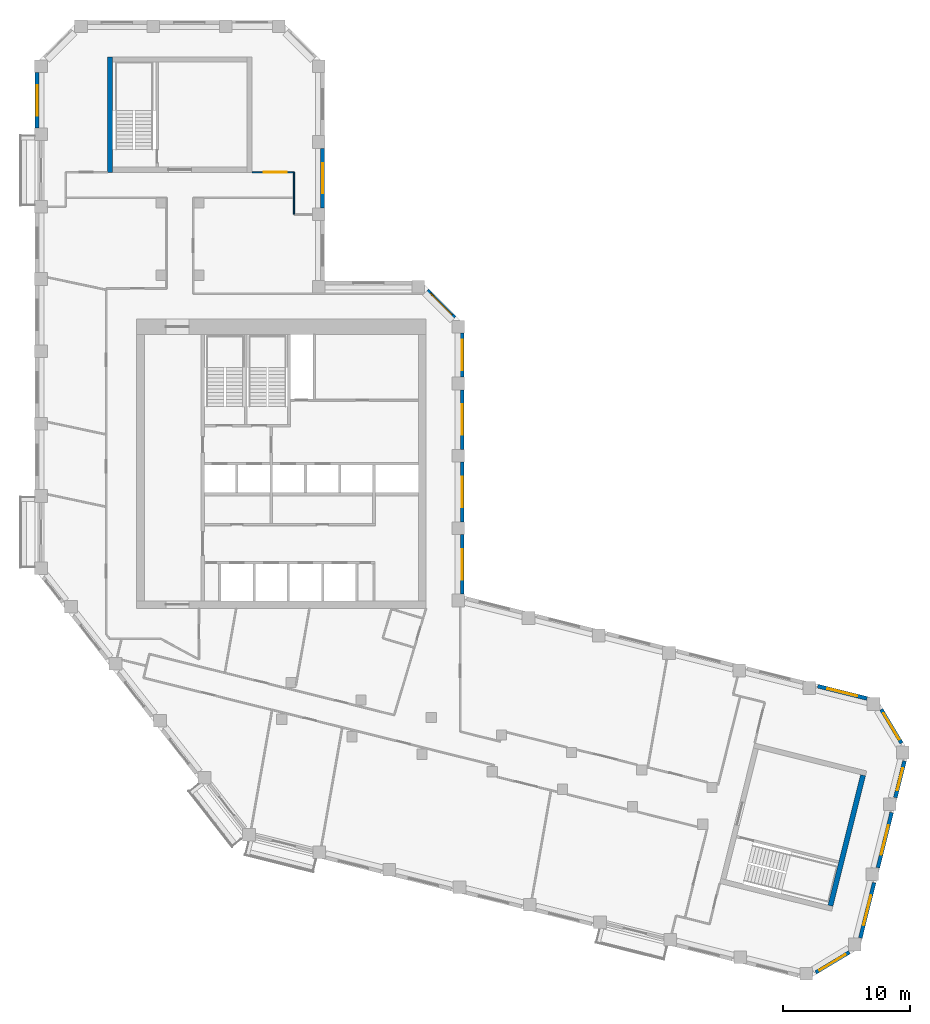
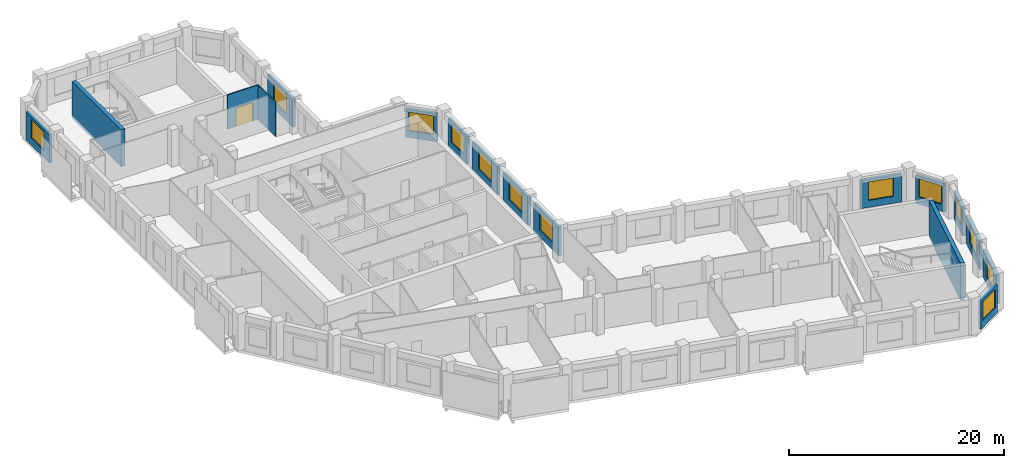
# One storey, part 7 of 9: 18 walls, 13 windows, 1 door, 14 openings.
"""IFC4 building model written with IfcOpenShell, lengths in metres."""

import ifcopenshell
import ifcopenshell.guid

model = None  # the IFC model being written
_history = None  # IfcOwnerHistory: only IFC2X3 demands one
_inside = {}  # id of a spatial element -> (the spatial element, [elements in it])
_under = {}  # id of a project, library or spatial element -> (it, [spatial elements below it])
_declared = {}  # id of a project -> (the project, [libraries it declares])
_typed = {}  # id of a type object -> (the type object, [elements of that type])
_made_of = {}  # id of a material, layer set ... -> (it, [elements and type objects made of it])


def new_model(schema):
    """Start an empty IFC model of exactly this schema.

    Asked for "IFC4X3", IfcOpenShell would pick the latest addendum, in which some entities
    have other attributes; the version numbers below select the first issue.
    IFC2X3 requires an IfcOwnerHistory on every rooted entity: one is made here for all.
    """
    global model, _history
    if schema == "IFC4X3":
        model = ifcopenshell.file(schema_version=(4, 3, 0, 0))
    else:
        model = ifcopenshell.file(schema=schema)
    _inside.clear()
    _under.clear()
    _declared.clear()
    _typed.clear()
    _made_of.clear()
    _history = None
    if model.schema == "IFC2X3":
        org = make("IfcOrganization", Name="unknown")
        user = make(
            "IfcPersonAndOrganization",
            ThePerson=make("IfcPerson", FamilyName="unknown"),
            TheOrganization=org,
        )
        app = make(
            "IfcApplication",
            ApplicationDeveloper=org,
            Version="unknown",
            ApplicationFullName="unknown",
            ApplicationIdentifier="unknown",
        )
        _history = make(
            "IfcOwnerHistory",
            OwningUser=user,
            OwningApplication=app,
            ChangeAction="ADDED",
            CreationDate=0,
        )
    return model


def make(cls, **values):
    """One entity of the class cls with the attributes given. An attribute that is None is left unset."""
    return model.create_entity(
        cls, **{name: value for name, value in values.items() if value is not None}
    )


def rooted(cls, **values):
    """An entity with a GlobalId (a new one), such as an element, a storey or a relation."""
    return make(cls, GlobalId=ifcopenshell.guid.new(), OwnerHistory=_history, **values)


def si_unit(unit_type, name, prefix=None):
    """IfcSIUnit, for example si_unit("LENGTHUNIT", "METRE", prefix="MILLI")."""
    return make("IfcSIUnit", UnitType=unit_type, Prefix=prefix, Name=name)


def assignment(units):
    """IfcUnitAssignment: the units of a project."""
    return None if units is None else make("IfcUnitAssignment", Units=units)


def point(xyz):
    """IfcCartesianPoint."""
    return None if xyz is None else make("IfcCartesianPoint", Coordinates=xyz)


def direction(xyz):
    """IfcDirection."""
    return None if xyz is None else make("IfcDirection", DirectionRatios=xyz)


def frame(location, z_axis=None, x_axis=None):
    """IfcAxis2Placement3D, a coordinate frame: its origin and axes. An axis left out is left unset."""
    return make(
        "IfcAxis2Placement3D",
        Location=point(location),
        Axis=direction(z_axis),
        RefDirection=direction(x_axis),
    )


def frame_2d(location, x_axis=None):
    """IfcAxis2Placement2D, a coordinate frame in the plane: its origin and x axis."""
    return make(
        "IfcAxis2Placement2D", Location=point(location), RefDirection=direction(x_axis)
    )


def origin():
    """The frame at (0, 0, 0) with its axes left unset."""
    return frame((0.0, 0.0, 0.0))


def place(relative_to, where):
    """IfcLocalPlacement: puts the frame where relative to a parent placement (None: the world)."""
    return make(
        "IfcLocalPlacement", PlacementRelTo=relative_to, RelativePlacement=where
    )


def context(
    kind, dimensions, precision=None, world=None, true_north=None, identifier=None
):
    """IfcGeometricRepresentationContext, for example the 3D "Model" context."""
    return make(
        "IfcGeometricRepresentationContext",
        ContextIdentifier=identifier,
        ContextType=kind,
        CoordinateSpaceDimension=dimensions,
        Precision=precision,
        WorldCoordinateSystem=world,
        TrueNorth=true_north,
    )


def subcontext(parent, identifier, kind, view, scale=None):
    """IfcGeometricRepresentationSubContext, for example "Body" below "Model"."""
    return make(
        "IfcGeometricRepresentationSubContext",
        ContextIdentifier=identifier,
        ContextType=kind,
        ParentContext=parent,
        TargetScale=scale,
        TargetView=view,
    )


def project(units=None, contexts=None):
    """IfcProject with its units and contexts."""
    return rooted(
        "IfcProject",
        Name="project",
        RepresentationContexts=contexts,
        UnitsInContext=assignment(units),
    )


def spatial(cls, under=None, at=None, **own):
    """A site, building, storey or space (cls), placed at a placement, below another one or the project."""
    s = rooted(cls, ObjectPlacement=at, **own)
    if under is not None:
        _under.setdefault(under.id(), (under, []))[1].append(s)
    return s


def profile(cls, at=None, kind="AREA", **sizes):
    """A parametric profile (cls). Its sizes go by their IFC names, for example OverallWidth=200.0."""
    return make(cls, ProfileType=kind, Position=at, **sizes)


def rectangle(**sizes):
    """IfcRectangleProfileDef."""
    return profile("IfcRectangleProfileDef", **sizes)


def extrude(swept, where, along, depth):
    """IfcExtrudedAreaSolid: the profile swept, set in the frame where, extruded along a direction by depth."""
    return make(
        "IfcExtrudedAreaSolid",
        SweptArea=swept,
        Position=where,
        ExtrudedDirection=direction(along),
        Depth=depth,
    )


def shape(context_of_items, identifier, shape_type, items):
    """IfcShapeRepresentation: the items that make up one representation, for example the "Body"."""
    return make(
        "IfcShapeRepresentation",
        ContextOfItems=context_of_items,
        RepresentationIdentifier=identifier,
        RepresentationType=shape_type,
        Items=items,
    )


def material(Name=None, Category=None):
    """IfcMaterial."""
    return make("IfcMaterial", Name=Name, Category=Category)


def layer(
    of_material, thickness, ventilated=None, Name=None, Category=None, Priority=None
):
    """IfcMaterialLayer: one layer of a wall or slab, of a material (None: an air gap)."""
    return make(
        "IfcMaterialLayer",
        Material=of_material,
        LayerThickness=thickness,
        IsVentilated=ventilated,
        Name=Name,
        Category=Category,
        Priority=Priority,
    )


def layer_set(layers, Name=None):
    """IfcMaterialLayerSet."""
    return make("IfcMaterialLayerSet", MaterialLayers=layers, LayerSetName=Name)


def made_of(thing, what):
    """Note that an element or type object is made of a material, layer set ...; save() writes the relation."""
    if what is not None:
        _made_of.setdefault(what.id(), (what, []))[1].append(thing)
    return thing


def type_object(cls, material=None, **own):
    """A type object (cls), such as IfcWallType, which elements share."""
    return made_of(rooted(cls, **own), material)


def element(
    cls,
    number,
    at=None,
    inside=None,
    cuts=None,
    type_object=None,
    material=None,
    context=None,
    identifier="Body",
    shape_type=None,
    held_by="IfcProductDefinitionShape",
    body=None,
    shapes=None,
    **own,
):
    """One element of the class cls, such as IfcWall. Its Tag is "e" and its number.

    at: its placement. inside: the storey or other place that contains it. cuts: it is an
    opening in that element (IfcRelVoidsElement). A single representation is given by context,
    identifier, shape_type and body (its items); several are given by shapes. held_by: the class
    of the entity that holds the representations. save() writes the other relations.
    """
    e = rooted(cls, Tag="e%d" % number, ObjectPlacement=at, **own)
    if body is not None:
        shapes = [shape(context, identifier, shape_type, body)]
    if shapes is not None:
        e.Representation = make(held_by, Representations=shapes)
    if inside is not None:
        _inside.setdefault(inside.id(), (inside, []))[1].append(e)
    if cuts is not None:
        rooted(
            "IfcRelVoidsElement", RelatingBuildingElement=cuts, RelatedOpeningElement=e
        )
    if type_object is not None:
        _typed.setdefault(type_object.id(), (type_object, []))[1].append(e)
    return made_of(e, material)


def fill(opening, filler):
    """IfcRelFillsElement: the door or window that sits in an opening."""
    return rooted(
        "IfcRelFillsElement",
        RelatingOpeningElement=opening,
        RelatedBuildingElement=filler,
    )


def aggregate(whole, parts):
    """IfcRelAggregates: a whole, such as a stair, and the parts it consists of."""
    return rooted("IfcRelAggregates", RelatingObject=whole, RelatedObjects=parts)


def save(model, path):
    """Write the relations noted so far, then the file.

    IfcRelAggregates (storeys below a building ...), IfcRelContainedInSpatialStructure (elements
    in a storey), IfcRelDefinesByType, IfcRelAssociatesMaterial and IfcRelDeclares: one each for
    every whole, place, type object, material and project.
    """
    for whole, parts in _under.values():
        aggregate(whole, parts)
    for where, things in _inside.values():
        rooted(
            "IfcRelContainedInSpatialStructure",
            RelatedElements=things,
            RelatingStructure=where,
        )
    for kind, things in _typed.values():
        rooted("IfcRelDefinesByType", RelatedObjects=things, RelatingType=kind)
    for what, things in _made_of.values():
        rooted("IfcRelAssociatesMaterial", RelatedObjects=things, RelatingMaterial=what)
    for by, libraries in _declared.values():
        rooted("IfcRelDeclares", RelatingContext=by, RelatedDefinitions=libraries)
    model.write(path)


model = new_model("IFC4")

# Units and contexts
model_context = context("Model", 3, precision=1e-05, world=origin(), true_north=direction((0.0, 1.0)))
body_context = subcontext(model_context, "Body", "Model", "MODEL_VIEW")
ifc_project = project(units=[si_unit("LENGTHUNIT", "METRE"), si_unit("AREAUNIT", "SQUARE_METRE"), si_unit("VOLUMEUNIT", "CUBIC_METRE"), si_unit("PLANEANGLEUNIT", "RADIAN"), si_unit("MASSUNIT", "GRAM", prefix="KILO")], contexts=[model_context])

# Site, building, storey
site_placement = place(None, origin())
site = spatial("IfcSite", under=ifc_project, at=site_placement, CompositionType="ELEMENT")
building_placement = place(site_placement, origin())
building = spatial("IfcBuilding", under=site, at=building_placement, Name="Meshkara Civic Tower", CompositionType="ELEMENT")
storey_placement = place(building_placement, frame((0.0, 0.0, 298.199951171875)))
storey = spatial("IfcBuildingStorey", under=building, at=storey_placement, Name="L68", CompositionType="ELEMENT", Elevation=298.199951171875)

# Wall
ifc_material_1 = material(Name="Corridor wall 100")
ifc_layer_1 = layer(ifc_material_1, 0.10009765625)
ifc_layer_set_1 = layer_set([ifc_layer_1], Name="Corridor wall 100")
wall_type_1 = type_object("IfcWallType", Name="Corridor wall 100", PredefinedType="PARTITIONING", material=ifc_layer_set_1)
wall_1_placement = place(storey_placement, frame((20.39990234375, 46.469970703125, 0.0), z_axis=(0.0, 0.0, 1.0), x_axis=(0.0, 1.0, 0.0)))
element("IfcWall", 1, at=wall_1_placement, inside=storey, type_object=wall_type_1, Name="L68-W016", PredefinedType="PARTITIONING", context=body_context, shape_type="SweptSolid", body=[
    extrude(rectangle(XDim=2.0, YDim=0.10009765625, at=frame_2d((1.0, 0.0))), origin(), (0.0, 0.0, 1.0), 3.900146484375),
])

# Wall, opening, door
wall_2_placement = place(storey_placement, frame((20.39990234375, 48.469970703125, 0.0), z_axis=(0.0, 0.0, 1.0), x_axis=(-1.0, 0.0, 0.0)))
wall_2 = element("IfcWall", 2, at=wall_2_placement, inside=storey, type_object=wall_type_1, Name="L68-W017", PredefinedType="PARTITIONING", context=body_context, shape_type="SweptSolid", body=[
    extrude(rectangle(XDim=3.2998046875, YDim=0.10009765625, at=frame_2d((1.64990234375, 0.0))), origin(), (0.0, 0.0, 1.0), 3.900146484375),
])
opening_1_placement = place(wall_2_placement, frame((0.580078125, 0.0, 0.0)))
opening_1 = element("IfcOpeningElement", 3, at=opening_1_placement, cuts=wall_2, Name="Opening L68-D021", PredefinedType="OPENING", context=body_context, shape_type="SweptSolid", body=[
    extrude(rectangle(XDim=1.800048828125, YDim=2.10009765625, at=frame_2d((0.89990234375, 1.050048828125))), frame((0.0, 0.06005859375, 0.0), z_axis=(0.0, -1.0, 0.0), x_axis=(1.0, 0.0, 0.0)), (0.0, 0.0, 1.0), 0.1201171875),
])
ifc_material_2 = material(Name="Door pair 1800 x 2100")
door_type = type_object("IfcDoorType", Name="Door pair 1800 x 2100", OperationType="SINGLE_SWING_LEFT", PredefinedType="DOOR", material=ifc_material_2)
door_placement = place(opening_1_placement, origin())
door = element("IfcDoor", 4, at=door_placement, inside=storey, type_object=door_type, Name="L68-D021", OperationType="DOUBLE_DOOR_SINGLE_SWING", OverallHeight=2.10009765625, OverallWidth=1.800048828125, PredefinedType="DOOR", context=body_context, shape_type="SweptSolid", body=[
    extrude(rectangle(XDim=1.800048828125, YDim=2.10009765625, at=frame_2d((0.89990234375, 1.050048828125))), frame((0.0, 0.02490234375, 0.0), z_axis=(0.0, -1.0, 0.0), x_axis=(1.0, 0.0, 0.0)), (0.0, 0.0, 1.0), 0.050048828125),
])
fill(opening_1, door)

# Wall, opening, window
ifc_material_3 = material(Name="Insulated infill panel with bronze anodised aluminium cladding", Category="aluminium")
ifc_layer_2 = layer(ifc_material_3, 0.300048828125)
ifc_layer_set_2 = layer_set([ifc_layer_2], Name="EXTERNAL INFILL WALL 300")
wall_type_2 = type_object("IfcWallType", Name="EXTERNAL INFILL WALL 300", PredefinedType="SOLIDWALL", material=ifc_layer_set_2)
wall_3_placement = place(storey_placement, frame((65.548095703125, 7.0, 0.0), z_axis=(0.0, 0.0, 1.0), x_axis=(-0.970260773365, 0.242062040951, 0.0)))
wall_3 = element("IfcWall", 5, at=wall_3_placement, inside=storey, type_object=wall_type_2, Name="External wall", PredefinedType="SOLIDWALL", context=body_context, shape_type="SweptSolid", body=[
    extrude(rectangle(XDim=4.003173828125, YDim=0.300048828125, at=frame_2d((2.00146484375, 0.0))), origin(), (0.0, 0.0, 1.0), 3.199951171875),
])
opening_2_placement = place(wall_3_placement, frame((0.801025390625, 0.0, 0.800048828125)))
opening_2 = element("IfcOpeningElement", 6, at=opening_2_placement, cuts=wall_3, Name="Opening W7", PredefinedType="OPENING", context=body_context, shape_type="SweptSolid", body=[
    extrude(rectangle(XDim=2.39990234375, YDim=2.10009765625, at=frame_2d((1.199951171875, 1.050048828125))), frame((0.0, 0.159912109375, 0.0), z_axis=(0.0, -1.0, 0.0), x_axis=(1.0, 0.0, 0.0)), (0.0, 0.0, 1.0), 0.320068359375),
])
ifc_material_4 = material(Name="Tinted double glazing", Category="glass")
window_type_1 = type_object("IfcWindowType", Name="WINDOW 2400x2100", PartitioningType="DOUBLE_PANEL_VERTICAL", PredefinedType="WINDOW", material=ifc_material_4)
window_1_placement = place(opening_2_placement, origin())
window_1 = element("IfcWindow", 7, at=window_1_placement, inside=storey, type_object=window_type_1, Name="Window", OverallHeight=2.10009765625, OverallWidth=2.39990234375, PartitioningType="DOUBLE_PANEL_VERTICAL", PredefinedType="WINDOW", context=body_context, shape_type="SweptSolid", body=[
    extrude(rectangle(XDim=2.39990234375, YDim=2.10009765625, at=frame_2d((1.199951171875, 1.050048828125))), frame((0.0, 0.030029296875, 0.0), z_axis=(0.0, -1.0, 0.0), x_axis=(1.0, 0.0, 0.0)), (0.0, 0.0, 1.0), 0.06005859375),
])
fill(opening_2, window_1)

wall_4_placement = place(storey_placement, frame((33.64990234375, 15.218994140625, 0.0), z_axis=(0.0, 0.0, 1.0), x_axis=(0.0, 1.0, 0.0)))
wall_4 = element("IfcWall", 8, at=wall_4_placement, inside=storey, type_object=wall_type_2, Name="External wall", PredefinedType="SOLIDWALL", context=body_context, shape_type="SweptSolid", body=[
    extrude(rectangle(XDim=4.699951171875, YDim=0.300048828125, at=frame_2d((2.35009765625, 0.0))), origin(), (0.0, 0.0, 1.0), 3.199951171875),
])
opening_3_placement = place(wall_4_placement, frame((1.14990234375, 0.0, 0.800048828125)))
opening_3 = element("IfcOpeningElement", 9, at=opening_3_placement, cuts=wall_4, Name="Opening W7", PredefinedType="OPENING", context=body_context, shape_type="SweptSolid", body=[
    extrude(rectangle(XDim=2.39990234375, YDim=2.10009765625, at=frame_2d((1.199951171875, 1.050048828125))), frame((0.0, 0.159912109375, 0.0), z_axis=(0.0, -1.0, 0.0), x_axis=(1.0, 0.0, 0.0)), (0.0, 0.0, 1.0), 0.320068359375),
])
window_2_placement = place(opening_3_placement, origin())
window_2 = element("IfcWindow", 10, at=window_2_placement, inside=storey, type_object=window_type_1, Name="Window", OverallHeight=2.10009765625, OverallWidth=2.39990234375, PartitioningType="DOUBLE_PANEL_VERTICAL", PredefinedType="WINDOW", context=body_context, shape_type="SweptSolid", body=[
    extrude(rectangle(XDim=2.39990234375, YDim=2.10009765625, at=frame_2d((1.199951171875, 1.050048828125))), frame((0.0, 0.030029296875, 0.0), z_axis=(0.0, -1.0, 0.0), x_axis=(1.0, 0.0, 0.0)), (0.0, 0.0, 1.0), 0.06005859375),
])
fill(opening_3, window_2)

wall_5_placement = place(storey_placement, frame((33.64990234375, 20.9189453125, 0.0), z_axis=(0.0, 0.0, 1.0), x_axis=(0.0, 1.0, 0.0)))
wall_5 = element("IfcWall", 11, at=wall_5_placement, inside=storey, type_object=wall_type_2, Name="External wall", PredefinedType="SOLIDWALL", context=body_context, shape_type="SweptSolid", body=[
    extrude(rectangle(XDim=4.699951171875, YDim=0.300048828125, at=frame_2d((2.35009765625, 0.0))), origin(), (0.0, 0.0, 1.0), 3.199951171875),
])
opening_4_placement = place(wall_5_placement, frame((1.14990234375, 0.0, 0.800048828125)))
opening_4 = element("IfcOpeningElement", 12, at=opening_4_placement, cuts=wall_5, Name="Opening W7", PredefinedType="OPENING", context=body_context, shape_type="SweptSolid", body=[
    extrude(rectangle(XDim=2.39990234375, YDim=2.10009765625, at=frame_2d((1.199951171875, 1.050048828125))), frame((0.0, 0.159912109375, 0.0), z_axis=(0.0, -1.0, 0.0), x_axis=(1.0, 0.0, 0.0)), (0.0, 0.0, 1.0), 0.320068359375),
])
window_3_placement = place(opening_4_placement, origin())
window_3 = element("IfcWindow", 13, at=window_3_placement, inside=storey, type_object=window_type_1, Name="Window", OverallHeight=2.10009765625, OverallWidth=2.39990234375, PartitioningType="DOUBLE_PANEL_VERTICAL", PredefinedType="WINDOW", context=body_context, shape_type="SweptSolid", body=[
    extrude(rectangle(XDim=2.39990234375, YDim=2.10009765625, at=frame_2d((1.199951171875, 1.050048828125))), frame((0.0, 0.030029296875, 0.0), z_axis=(0.0, -1.0, 0.0), x_axis=(1.0, 0.0, 0.0)), (0.0, 0.0, 1.0), 0.06005859375),
])
fill(opening_4, window_3)

wall_6_placement = place(storey_placement, frame((33.64990234375, 26.618896484375, 0.0), z_axis=(0.0, 0.0, 1.0), x_axis=(0.0, 1.0, 0.0)))
wall_6 = element("IfcWall", 14, at=wall_6_placement, inside=storey, type_object=wall_type_2, Name="External wall", PredefinedType="SOLIDWALL", context=body_context, shape_type="SweptSolid", body=[
    extrude(rectangle(XDim=4.7001953125, YDim=0.300048828125, at=frame_2d((2.35009765625, 0.0))), origin(), (0.0, 0.0, 1.0), 3.199951171875),
])
opening_5_placement = place(wall_6_placement, frame((1.14990234375, 0.0, 0.800048828125)))
opening_5 = element("IfcOpeningElement", 15, at=opening_5_placement, cuts=wall_6, Name="Opening W7", PredefinedType="OPENING", context=body_context, shape_type="SweptSolid", body=[
    extrude(rectangle(XDim=2.39990234375, YDim=2.10009765625, at=frame_2d((1.199951171875, 1.050048828125))), frame((0.0, 0.159912109375, 0.0), z_axis=(0.0, -1.0, 0.0), x_axis=(1.0, 0.0, 0.0)), (0.0, 0.0, 1.0), 0.320068359375),
])
window_4_placement = place(opening_5_placement, origin())
window_4 = element("IfcWindow", 16, at=window_4_placement, inside=storey, type_object=window_type_1, Name="Window", OverallHeight=2.10009765625, OverallWidth=2.39990234375, PartitioningType="DOUBLE_PANEL_VERTICAL", PredefinedType="WINDOW", context=body_context, shape_type="SweptSolid", body=[
    extrude(rectangle(XDim=2.39990234375, YDim=2.10009765625, at=frame_2d((1.199951171875, 1.050048828125))), frame((0.0, 0.030029296875, 0.0), z_axis=(0.0, -1.0, 0.0), x_axis=(1.0, 0.0, 0.0)), (0.0, 0.0, 1.0), 0.06005859375),
])
fill(opening_5, window_4)

wall_7_placement = place(storey_placement, frame((33.64990234375, 32.319091796875, 0.0), z_axis=(0.0, 0.0, 1.0), x_axis=(0.0, 1.0, 0.0)))
wall_7 = element("IfcWall", 17, at=wall_7_placement, inside=storey, type_object=wall_type_2, Name="External wall", PredefinedType="SOLIDWALL", context=body_context, shape_type="SweptSolid", body=[
    extrude(rectangle(XDim=3.474853515625, YDim=0.300048828125, at=frame_2d((1.7373046875, 0.0))), origin(), (0.0, 0.0, 1.0), 3.199951171875),
])
opening_6_placement = place(wall_7_placement, frame((0.5380859375, 0.0, 0.800048828125)))
opening_6 = element("IfcOpeningElement", 18, at=opening_6_placement, cuts=wall_7, Name="Opening W7", PredefinedType="OPENING", context=body_context, shape_type="SweptSolid", body=[
    extrude(rectangle(XDim=2.39990234375, YDim=2.10009765625, at=frame_2d((1.199951171875, 1.050048828125))), frame((0.0, 0.159912109375, 0.0), z_axis=(0.0, -1.0, 0.0), x_axis=(1.0, 0.0, 0.0)), (0.0, 0.0, 1.0), 0.320068359375),
])
window_5_placement = place(opening_6_placement, origin())
window_5 = element("IfcWindow", 19, at=window_5_placement, inside=storey, type_object=window_type_1, Name="Window", OverallHeight=2.10009765625, OverallWidth=2.39990234375, PartitioningType="DOUBLE_PANEL_VERTICAL", PredefinedType="WINDOW", context=body_context, shape_type="SweptSolid", body=[
    extrude(rectangle(XDim=2.39990234375, YDim=2.10009765625, at=frame_2d((1.199951171875, 1.050048828125))), frame((0.0, 0.030029296875, 0.0), z_axis=(0.0, -1.0, 0.0), x_axis=(1.0, 0.0, 0.0)), (0.0, 0.0, 1.0), 0.06005859375),
])
fill(opening_6, window_5)

wall_8_placement = place(storey_placement, frame((33.06201171875, 37.006103515625, 0.0), z_axis=(0.0, 0.0, 1.0), x_axis=(-0.707106781187, 0.707106781187, 0.0)))
wall_8 = element("IfcWall", 20, at=wall_8_placement, inside=storey, type_object=wall_type_2, Name="External wall", PredefinedType="SOLIDWALL", context=body_context, shape_type="SweptSolid", body=[
    extrude(rectangle(XDim=3.049072265625, YDim=0.300048828125, at=frame_2d((1.5244140625, 0.0))), origin(), (0.0, 0.0, 1.0), 3.199951171875),
])
opening_7_placement = place(wall_8_placement, frame((0.324951171875, 0.0, 0.800048828125)))
opening_7 = element("IfcOpeningElement", 21, at=opening_7_placement, cuts=wall_8, Name="Opening W7", PredefinedType="OPENING", context=body_context, shape_type="SweptSolid", body=[
    extrude(rectangle(XDim=2.39990234375, YDim=2.10009765625, at=frame_2d((1.199951171875, 1.050048828125))), frame((0.0, 0.159912109375, 0.0), z_axis=(0.0, -1.0, 0.0), x_axis=(1.0, 0.0, 0.0)), (0.0, 0.0, 1.0), 0.320068359375),
])
window_6_placement = place(opening_7_placement, origin())
window_6 = element("IfcWindow", 22, at=window_6_placement, inside=storey, type_object=window_type_1, Name="Window", OverallHeight=2.10009765625, OverallWidth=2.39990234375, PartitioningType="DOUBLE_PANEL_VERTICAL", PredefinedType="WINDOW", context=body_context, shape_type="SweptSolid", body=[
    extrude(rectangle(XDim=2.39990234375, YDim=2.10009765625, at=frame_2d((1.199951171875, 1.050048828125))), frame((0.0, 0.030029296875, 0.0), z_axis=(0.0, -1.0, 0.0), x_axis=(1.0, 0.0, 0.0)), (0.0, 0.0, 1.0), 0.06005859375),
])
fill(opening_7, window_6)

wall_9_placement = place(storey_placement, frame((22.64990234375, 45.64990234375, 0.0), z_axis=(0.0, 0.0, 1.0), x_axis=(0.0, 1.0, 0.0)))
wall_9 = element("IfcWall", 23, at=wall_9_placement, inside=storey, type_object=wall_type_2, Name="External wall", PredefinedType="SOLIDWALL", context=body_context, shape_type="SweptSolid", body=[
    extrude(rectangle(XDim=4.7001953125, YDim=0.300048828125, at=frame_2d((2.35009765625, 0.0))), origin(), (0.0, 0.0, 1.0), 3.199951171875),
])
opening_8_placement = place(wall_9_placement, frame((1.14990234375, 0.0, 0.800048828125)))
opening_8 = element("IfcOpeningElement", 24, at=opening_8_placement, cuts=wall_9, Name="Opening W7", PredefinedType="OPENING", context=body_context, shape_type="SweptSolid", body=[
    extrude(rectangle(XDim=2.39990234375, YDim=2.10009765625, at=frame_2d((1.199951171875, 1.050048828125))), frame((0.0, 0.159912109375, 0.0), z_axis=(0.0, -1.0, 0.0), x_axis=(1.0, 0.0, 0.0)), (0.0, 0.0, 1.0), 0.320068359375),
])
window_7_placement = place(opening_8_placement, origin())
window_7 = element("IfcWindow", 25, at=window_7_placement, inside=storey, type_object=window_type_1, Name="Window", OverallHeight=2.10009765625, OverallWidth=2.39990234375, PartitioningType="DOUBLE_PANEL_VERTICAL", PredefinedType="WINDOW", context=body_context, shape_type="SweptSolid", body=[
    extrude(rectangle(XDim=2.39990234375, YDim=2.10009765625, at=frame_2d((1.199951171875, 1.050048828125))), frame((0.0, 0.030029296875, 0.0), z_axis=(0.0, -1.0, 0.0), x_axis=(1.0, 0.0, 0.0)), (0.0, 0.0, 1.0), 0.06005859375),
])
fill(opening_8, window_7)

wall_10_placement = place(storey_placement, frame((0.14990234375, 56.31396484375, 0.0), z_axis=(0.0, 0.0, 1.0), x_axis=(0.0, -1.0, 0.0)))
wall_10 = element("IfcWall", 26, at=wall_10_placement, inside=storey, type_object=wall_type_2, Name="External wall", PredefinedType="SOLIDWALL", context=body_context, shape_type="SweptSolid", body=[
    extrude(rectangle(XDim=4.35888671875, YDim=0.300048828125, at=frame_2d((2.179443359375, 0.0))), origin(), (0.0, 0.0, 1.0), 3.199951171875),
])
opening_9_placement = place(wall_10_placement, frame((0.97998046875, 0.0, 0.800048828125)))
opening_9 = element("IfcOpeningElement", 27, at=opening_9_placement, cuts=wall_10, Name="Opening W7", PredefinedType="OPENING", context=body_context, shape_type="SweptSolid", body=[
    extrude(rectangle(XDim=2.39990234375, YDim=2.10009765625, at=frame_2d((1.199951171875, 1.050048828125))), frame((0.0, 0.159912109375, 0.0), z_axis=(0.0, -1.0, 0.0), x_axis=(1.0, 0.0, 0.0)), (0.0, 0.0, 1.0), 0.320068359375),
])
window_8_placement = place(opening_9_placement, origin())
window_8 = element("IfcWindow", 28, at=window_8_placement, inside=storey, type_object=window_type_1, Name="Window", OverallHeight=2.10009765625, OverallWidth=2.39990234375, PartitioningType="DOUBLE_PANEL_VERTICAL", PredefinedType="WINDOW", context=body_context, shape_type="SweptSolid", body=[
    extrude(rectangle(XDim=2.39990234375, YDim=2.10009765625, at=frame_2d((1.199951171875, 1.050048828125))), frame((0.0, 0.030029296875, 0.0), z_axis=(0.0, -1.0, 0.0), x_axis=(1.0, 0.0, 0.0)), (0.0, 0.0, 1.0), 0.06005859375),
])
fill(opening_9, window_8)

wall_11_placement = place(storey_placement, frame((61.509033203125, -14.591064453125, 0.0), z_axis=(0.0, 0.0, 1.0), x_axis=(0.856969799001, 0.515366630275, 0.0)))
wall_11 = element("IfcWall", 29, at=wall_11_placement, inside=storey, type_object=wall_type_2, Name="External wall", PredefinedType="SOLIDWALL", context=body_context, shape_type="SweptSolid", body=[
    extrude(rectangle(XDim=3.091064453125, YDim=0.300048828125, at=frame_2d((1.54541015625, 0.0))), origin(), (0.0, 0.0, 1.0), 3.199951171875),
])
opening_10_placement = place(wall_11_placement, frame((0.344970703125, 0.0, 0.800048828125)))
opening_10 = element("IfcOpeningElement", 30, at=opening_10_placement, cuts=wall_11, Name="Opening W7", PredefinedType="OPENING", context=body_context, shape_type="SweptSolid", body=[
    extrude(rectangle(XDim=2.39990234375, YDim=2.10009765625, at=frame_2d((1.199951171875, 1.050048828125))), frame((0.0, 0.159912109375, 0.0), z_axis=(0.0, -1.0, 0.0), x_axis=(1.0, 0.0, 0.0)), (0.0, 0.0, 1.0), 0.320068359375),
])
window_9_placement = place(opening_10_placement, origin())
window_9 = element("IfcWindow", 31, at=window_9_placement, inside=storey, type_object=window_type_1, Name="Window", OverallHeight=2.10009765625, OverallWidth=2.39990234375, PartitioningType="DOUBLE_PANEL_VERTICAL", PredefinedType="WINDOW", context=body_context, shape_type="SweptSolid", body=[
    extrude(rectangle(XDim=2.39990234375, YDim=2.10009765625, at=frame_2d((1.199951171875, 1.050048828125))), frame((0.0, 0.030029296875, 0.0), z_axis=(0.0, -1.0, 0.0), x_axis=(1.0, 0.0, 0.0)), (0.0, 0.0, 1.0), 0.06005859375),
])
fill(opening_10, window_9)

wall_12_placement = place(storey_placement, frame((65.029052734375, -11.8720703125, 0.0), z_axis=(0.0, 0.0, 1.0), x_axis=(0.241946839653, 0.970289506684, 0.0)))
wall_12 = element("IfcWall", 32, at=wall_12_placement, inside=storey, type_object=wall_type_2, Name="External wall", PredefinedType="SOLIDWALL", context=body_context, shape_type="SweptSolid", body=[
    extrude(rectangle(XDim=4.48828125, YDim=0.300048828125, at=frame_2d((2.244140625, 0.0))), origin(), (0.0, 0.0, 1.0), 3.199951171875),
])
opening_11_placement = place(wall_12_placement, frame((1.0439453125, 0.0, 0.800048828125)))
opening_11 = element("IfcOpeningElement", 33, at=opening_11_placement, cuts=wall_12, Name="Opening W7", PredefinedType="OPENING", context=body_context, shape_type="SweptSolid", body=[
    extrude(rectangle(XDim=2.39990234375, YDim=2.10009765625, at=frame_2d((1.199951171875, 1.050048828125))), frame((0.0, 0.159912109375, 0.0), z_axis=(0.0, -1.0, 0.0), x_axis=(1.0, 0.0, 0.0)), (0.0, 0.0, 1.0), 0.320068359375),
])
window_10_placement = place(opening_11_placement, origin())
window_10 = element("IfcWindow", 34, at=window_10_placement, inside=storey, type_object=window_type_1, Name="Window", OverallHeight=2.10009765625, OverallWidth=2.39990234375, PartitioningType="DOUBLE_PANEL_VERTICAL", PredefinedType="WINDOW", context=body_context, shape_type="SweptSolid", body=[
    extrude(rectangle(XDim=2.39990234375, YDim=2.10009765625, at=frame_2d((1.199951171875, 1.050048828125))), frame((0.0, 0.030029296875, 0.0), z_axis=(0.0, -1.0, 0.0), x_axis=(1.0, 0.0, 0.0)), (0.0, 0.0, 1.0), 0.06005859375),
])
fill(opening_11, window_10)

wall_13_placement = place(storey_placement, frame((66.407958984375, -6.341064453125, 0.0), z_axis=(0.0, 0.0, 1.0), x_axis=(0.241997928406, 0.970276766004, 0.0)))
wall_13 = element("IfcWall", 35, at=wall_13_placement, inside=storey, type_object=wall_type_2, Name="External wall", PredefinedType="SOLIDWALL", context=body_context, shape_type="SweptSolid", body=[
    extrude(rectangle(XDim=4.4873046875, YDim=0.300048828125, at=frame_2d((2.24365234375, 0.0))), origin(), (0.0, 0.0, 1.0), 3.199951171875),
])
opening_12_placement = place(wall_13_placement, frame((1.0439453125, 0.0, 0.800048828125)))
opening_12 = element("IfcOpeningElement", 36, at=opening_12_placement, cuts=wall_13, Name="Opening W7", PredefinedType="OPENING", context=body_context, shape_type="SweptSolid", body=[
    extrude(rectangle(XDim=2.39990234375, YDim=2.10009765625, at=frame_2d((1.199951171875, 1.050048828125))), frame((0.0, 0.159912109375, 0.0), z_axis=(0.0, -1.0, 0.0), x_axis=(1.0, 0.0, 0.0)), (0.0, 0.0, 1.0), 0.320068359375),
])
window_11_placement = place(opening_12_placement, origin())
window_11 = element("IfcWindow", 37, at=window_11_placement, inside=storey, type_object=window_type_1, Name="Window", OverallHeight=2.10009765625, OverallWidth=2.39990234375, PartitioningType="DOUBLE_PANEL_VERTICAL", PredefinedType="WINDOW", context=body_context, shape_type="SweptSolid", body=[
    extrude(rectangle(XDim=2.39990234375, YDim=2.10009765625, at=frame_2d((1.199951171875, 1.050048828125))), frame((0.0, 0.030029296875, 0.0), z_axis=(0.0, -1.0, 0.0), x_axis=(1.0, 0.0, 0.0)), (0.0, 0.0, 1.0), 0.06005859375),
])
fill(opening_12, window_11)

wall_14_placement = place(storey_placement, frame((67.787109375, -0.81103515625, 0.0), z_axis=(0.0, 0.0, 1.0), x_axis=(0.242052773757, 0.970263085311, 0.0)))
wall_14 = element("IfcWall", 38, at=wall_14_placement, inside=storey, type_object=wall_type_2, Name="External wall", PredefinedType="SOLIDWALL", context=body_context, shape_type="SweptSolid", body=[
    extrude(rectangle(XDim=2.974365234375, YDim=0.300048828125, at=frame_2d((1.4873046875, 0.0))), origin(), (0.0, 0.0, 1.0), 3.199951171875),
])
opening_13_placement = place(wall_14_placement, frame((0.5869140625, 0.0, 0.800048828125)))
opening_13 = element("IfcOpeningElement", 39, at=opening_13_placement, cuts=wall_14, Name="Opening W9", PredefinedType="OPENING", context=body_context, shape_type="SweptSolid", body=[
    extrude(rectangle(XDim=1.800048828125, YDim=2.10009765625, at=frame_2d((0.89990234375, 1.050048828125))), frame((0.0, 0.159912109375, 0.0), z_axis=(0.0, -1.0, 0.0), x_axis=(1.0, 0.0, 0.0)), (0.0, 0.0, 1.0), 0.320068359375),
])
ifc_material_5 = material(Name="Tinted double glazing", Category="glass")
window_type_2 = type_object("IfcWindowType", Name="WINDOW 1800x2100", PartitioningType="DOUBLE_PANEL_VERTICAL", PredefinedType="WINDOW", material=ifc_material_5)
window_12_placement = place(opening_13_placement, origin())
window_12 = element("IfcWindow", 40, at=window_12_placement, inside=storey, type_object=window_type_2, Name="Window", OverallHeight=2.10009765625, OverallWidth=1.800048828125, PartitioningType="DOUBLE_PANEL_VERTICAL", PredefinedType="WINDOW", context=body_context, shape_type="SweptSolid", body=[
    extrude(rectangle(XDim=1.800048828125, YDim=2.10009765625, at=frame_2d((0.89990234375, 1.050048828125))), frame((0.0, 0.030029296875, 0.0), z_axis=(0.0, -1.0, 0.0), x_axis=(1.0, 0.0, 0.0)), (0.0, 0.0, 1.0), 0.06005859375),
])
fill(opening_13, window_12)

wall_15_placement = place(storey_placement, frame((68.26611328125, 3.47900390625, 0.0), z_axis=(0.0, 0.0, 1.0), x_axis=(-0.514995068029, 0.857193140375, 0.0)))
wall_15 = element("IfcWall", 41, at=wall_15_placement, inside=storey, type_object=wall_type_2, Name="External wall", PredefinedType="SOLIDWALL", context=body_context, shape_type="SweptSolid", body=[
    extrude(rectangle(XDim=3.09130859375, YDim=0.300048828125, at=frame_2d((1.545654296875, 0.0))), origin(), (0.0, 0.0, 1.0), 3.199951171875),
])
opening_14_placement = place(wall_15_placement, frame((0.345947265625, 0.0, 0.800048828125)))
opening_14 = element("IfcOpeningElement", 42, at=opening_14_placement, cuts=wall_15, Name="Opening W7", PredefinedType="OPENING", context=body_context, shape_type="SweptSolid", body=[
    extrude(rectangle(XDim=2.39990234375, YDim=2.10009765625, at=frame_2d((1.199951171875, 1.050048828125))), frame((0.0, 0.159912109375, 0.0), z_axis=(0.0, -1.0, 0.0), x_axis=(1.0, 0.0, 0.0)), (0.0, 0.0, 1.0), 0.320068359375),
])
window_13_placement = place(opening_14_placement, origin())
window_13 = element("IfcWindow", 43, at=window_13_placement, inside=storey, type_object=window_type_1, Name="Window", OverallHeight=2.10009765625, OverallWidth=2.39990234375, PartitioningType="DOUBLE_PANEL_VERTICAL", PredefinedType="WINDOW", context=body_context, shape_type="SweptSolid", body=[
    extrude(rectangle(XDim=2.39990234375, YDim=2.10009765625, at=frame_2d((1.199951171875, 1.050048828125))), frame((0.0, 0.030029296875, 0.0), z_axis=(0.0, -1.0, 0.0), x_axis=(1.0, 0.0, 0.0)), (0.0, 0.0, 1.0), 0.06005859375),
])
fill(opening_14, window_13)

# Walls
ifc_material_6 = material(Name="Concrete C60", Category="concrete")
ifc_layer_3 = layer(ifc_material_6, 0.39990234375)
ifc_layer_set_3 = layer_set([ifc_layer_3], Name="End core ring wall 400 C60")
wall_type_3 = type_object("IfcWallType", Name="End core ring wall 400 C60", PredefinedType="SHEAR", material=ifc_layer_set_3)
wall_16_placement = place(storey_placement, frame((5.89990234375, 48.469970703125, -0.300048828125), z_axis=(0.0, 0.0, 1.0), x_axis=(0.0, 1.0, 0.0)))
element("IfcWall", 44, at=wall_16_placement, inside=storey, type_object=wall_type_3, Name="L68-C026", PredefinedType="SHEAR", context=body_context, shape_type="SweptSolid", body=[
    extrude(rectangle(XDim=9.10009765625, YDim=0.39990234375, at=frame_2d((4.550048828125, 0.0))), origin(), (0.0, 0.0, 1.0), 4.2001953125),
])
wall_17_placement = place(storey_placement, frame((62.672119140625, -9.339111328125, -0.300048828125), z_axis=(0.0, 0.0, 1.0), x_axis=(0.241971982666, 0.970283236795, 0.0)))
element("IfcWall", 45, at=wall_17_placement, inside=storey, type_object=wall_type_3, Name="L68-C034", PredefinedType="SHEAR", context=body_context, shape_type="SweptSolid", body=[
    extrude(rectangle(XDim=10.60009765625, YDim=0.39990234375, at=frame_2d((5.300048828125, 0.0))), origin(), (0.0, 0.0, 1.0), 4.2001953125),
])
ifc_material_7 = material(Name="Partition 100")
ifc_layer_4 = layer(ifc_material_7, 0.10009765625)
ifc_layer_set_4 = layer_set([ifc_layer_4], Name="Partition 100")
wall_type_4 = type_object("IfcWallType", Name="Partition 100", PredefinedType="PARTITIONING", material=ifc_layer_set_4)
wall_18_placement = place(storey_placement, frame((20.39990234375, 45.14990234375, 0.0), z_axis=(0.0, 0.0, 1.0), x_axis=(0.0, 1.0, 0.0)))
element("IfcWall", 46, at=wall_18_placement, inside=storey, type_object=wall_type_4, Name="L68-W043", PredefinedType="PARTITIONING", context=body_context, shape_type="SweptSolid", body=[
    extrude(rectangle(XDim=1.32421875, YDim=0.10009765625, at=frame_2d((0.662109375, 0.0))), origin(), (0.0, 0.0, 1.0), 3.900146484375),
])

save(model, "model.ifc")
